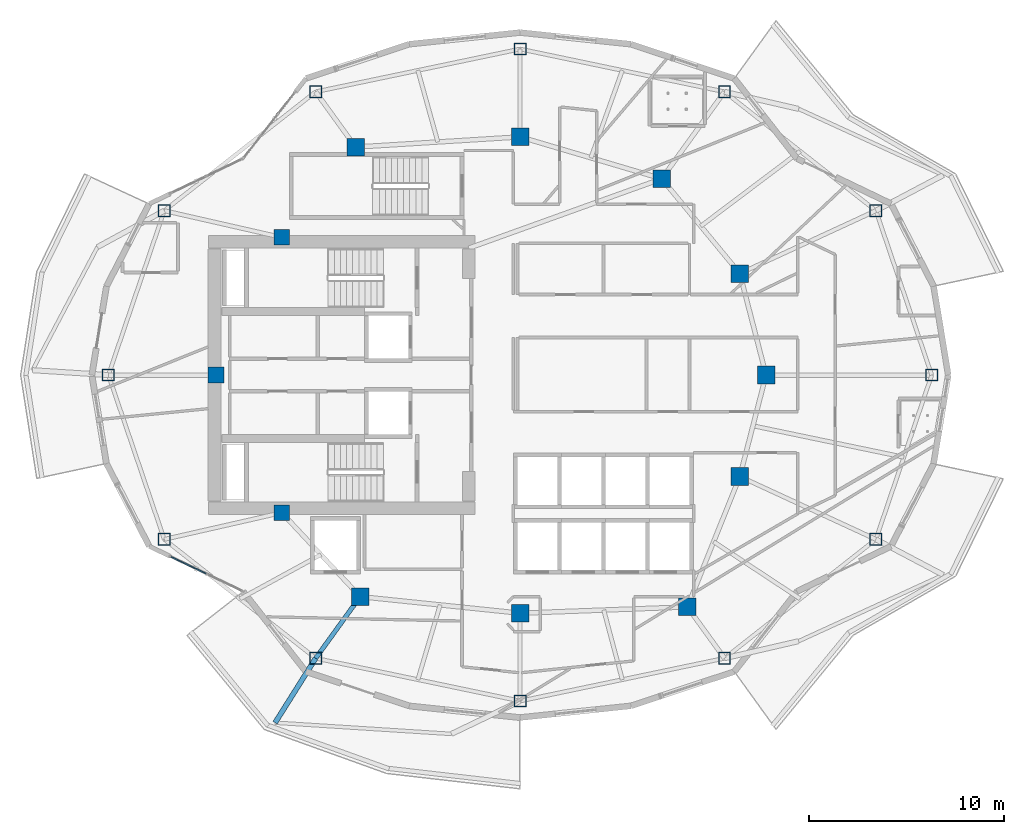
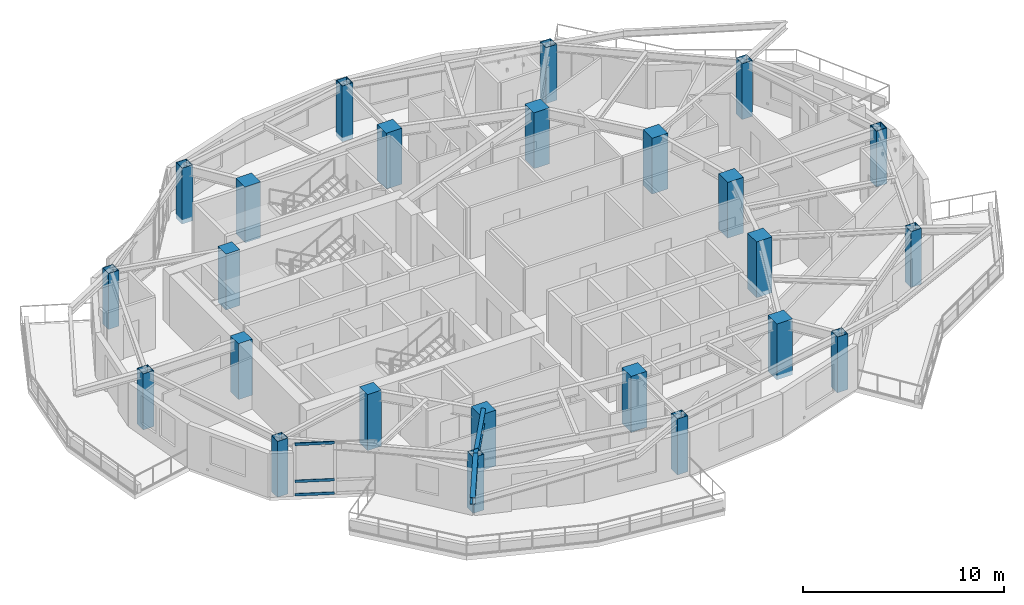
# One storey, part 1 of 16: 24 columns, 3 members, 2 beams, 1 element without a shape of its own.
"""IFC4 building model written with IfcOpenShell, lengths in metres."""

from ifc_helpers import new_model, si_unit, direction, frame, origin, origin_2d, place, context, subcontext, project, spatial, rectangle, hollow_rectangle, i_section, extrude, material, layer, layer_set, material_profile, profile_set, type_object, element, aggregate, save


model = new_model("IFC4")

# Units and contexts
model_context = context("Model", 3, precision=1e-05, world=origin(), true_north=direction((0.0, 1.0)))
body_context = subcontext(model_context, "Body", "Model", "MODEL_VIEW")
ifc_project = project(units=[si_unit("LENGTHUNIT", "METRE"), si_unit("AREAUNIT", "SQUARE_METRE"), si_unit("VOLUMEUNIT", "CUBIC_METRE"), si_unit("PLANEANGLEUNIT", "RADIAN"), si_unit("MASSUNIT", "GRAM", prefix="KILO")], contexts=[model_context])

# Site, building, storey
site_placement = place(None, origin())
site = spatial("IfcSite", under=ifc_project, at=site_placement, CompositionType="ELEMENT")
building_placement = place(site_placement, origin())
building = spatial("IfcBuilding", under=site, at=building_placement, Name="Kolvaren Gate Tower and Convention Centre", CompositionType="ELEMENT")
storey_placement = place(building_placement, frame((0.0, 0.0, 149.5)))
storey = spatial("IfcBuildingStorey", under=building, at=storey_placement, Name="L38", CompositionType="ELEMENT", Elevation=149.5)

# Columns
ifc_material_1 = material(Name="Structural steel ASTM A1085 Grade A 345 MPa", Category="steel")
ifc_material_profile_1 = material_profile(ifc_material_1, hollow_rectangle(XDim=0.610107421875, YDim=0.610107421875, WallThickness=0.025390625, at=origin_2d()), Name="HSS610X610X25.4")
ifc_profile_set_1 = profile_set([ifc_material_profile_1], Name="Structural steel ASTM A1085 Grade A 345 MPa")
column_type_1 = type_object("IfcColumnType", Name="STR-COL-HSS610", PredefinedType="COLUMN", material=ifc_profile_set_1)
for number, where, z_axis, x_axis, name in (
    (1, (51.21240234375, 27.0, -0.27001953125), (0.0, 0.0, 1.0), (1.0, 0.0, 0.0), "Tower L38 Perimeter Supercolumn TP-01"),
    (2, (48.351806640625, 35.418701171875, -0.27001953125), (0.0, 0.0, 1.0), (1.0, 0.0, 0.0), "Tower L38 Perimeter Supercolumn TP-02"),
    (3, (40.596435546875, 41.509521484375, -0.27001953125), (0.0, 0.0, 1.0), (1.0, 0.0, 0.0), "Tower L38 Perimeter Supercolumn TP-03"),
    (4, (30.125, 43.699951171875, -0.27001953125), (0.0, 0.0, 1.0), (1.0, 0.0, 0.0), "Tower L38 Perimeter Supercolumn TP-04"),
    (5, (19.65380859375, 41.509521484375, -0.27001953125), (0.0, 0.0, 1.0), (1.0, 0.0, 0.0), "Tower L38 Perimeter Supercolumn TP-05"),
    (6, (11.898193359375, 35.418701171875, -0.27001953125), (0.0, 0.0, 1.0), (1.0, 0.0, 0.0), "Tower L38 Perimeter Supercolumn TP-06"),
    (7, (9.03759765625, 27.0, -0.27001953125), (0.0, 0.0, 1.0), (1.0, 0.0, 0.0), "Tower L38 Perimeter Supercolumn TP-07"),
    (8, (11.898193359375, 18.581298828125, -0.27001953125), (0.0, 0.0, 1.0), (1.0, 0.0, 0.0), "Tower L38 Perimeter Supercolumn TP-08"),
    (9, (19.653564453125, 12.490478515625, -0.27001953125), (0.0, 0.0, 1.0), (1.0, 0.0, 0.0), "Tower L38 Perimeter Supercolumn TP-09"),
    (10, (30.125, 10.300048828125, -0.27001953125), (0.0, 0.0, 1.0), (1.0, 0.0, 0.0), "Tower L38 Perimeter Supercolumn TP-10"),
    (11, (40.596435546875, 12.490478515625, -0.27001953125), (0.0, 0.0, 1.0), (1.0, 0.0, 0.0), "Tower L38 Perimeter Supercolumn TP-11"),
    (12, (48.351806640625, 18.581298828125, -0.27001953125), (0.0, 0.0, 1.0), (1.0, 0.0, 0.0), "Tower L38 Perimeter Supercolumn TP-12"),
):
    element("IfcColumn", number, at=place(storey_placement, frame(where, z_axis=z_axis, x_axis=x_axis)), inside=storey, type_object=column_type_1, Name=name, PredefinedType="COLUMN", context=body_context, shape_type="SweptSolid", body=[
        extrude(hollow_rectangle(XDim=0.610107421875, YDim=0.610107421875, WallThickness=0.025390625, at=origin_2d()), origin(), (0.0, 0.0, 1.0), 3.39990234375),
    ])
ifc_material_2 = material(Name="Concrete C60/75", Category="concrete")
ifc_material_profile_2 = material_profile(ifc_material_2, rectangle(XDim=0.89990234375, YDim=0.89990234375, at=origin_2d()), Name="RC-COL-900X900")
ifc_profile_set_2 = profile_set([ifc_material_profile_2], Name="Concrete C60/75")
column_type_2 = type_object("IfcColumnType", Name="STR-COL-RC900", PredefinedType="COLUMN", material=ifc_profile_set_2)
for number, where, z_axis, x_axis, name in (
    (13, (42.72509765625, 27.0, -0.27001953125), (0.0, 0.0, 1.0), (1.0, 0.0, 0.0), "Tower L38 Interior Column TI-01"),
    (14, (41.382080078125, 32.199462890625, -0.27001953125), (0.0, 0.0, 1.0), (1.0, 0.0, 0.0), "Tower L38 Interior Column TI-02"),
    (15, (37.381591796875, 37.054931640625, -0.27001953125), (0.0, 0.0, 1.0), (1.0, 0.0, 0.0), "Tower L38 Interior Column TI-03"),
    (16, (30.125, 39.199951171875, -0.27001953125), (0.0, 0.0, 1.0), (1.0, 0.0, 0.0), "Tower L38 Interior Column TI-04"),
    (17, (21.697998046875, 38.6767578125, -0.27001953125), (0.0, 0.0, 1.0), (1.0, 0.0, 0.0), "Tower L38 Interior Column TI-05"),
    (18, (21.93212890625, 15.647705078125, -0.27001953125), (0.0, 0.0, 1.0), (1.0, 0.0, 0.0), "Tower L38 Interior Column TI-06"),
    (19, (30.125, 14.800048828125, -0.27001953125), (0.0, 0.0, 1.0), (1.0, 0.0, 0.0), "Tower L38 Interior Column TI-07"),
    (20, (38.6982421875, 15.12060546875, -0.27001953125), (0.0, 0.0, 1.0), (1.0, 0.0, 0.0), "Tower L38 Interior Column TI-08"),
    (21, (41.382080078125, 21.800537109375, -0.27001953125), (0.0, 0.0, 1.0), (1.0, 0.0, 0.0), "Tower L38 Interior Column TI-09"),
):
    element("IfcColumn", number, at=place(storey_placement, frame(where, z_axis=z_axis, x_axis=x_axis)), inside=storey, type_object=column_type_2, Name=name, PredefinedType="COLUMN", context=body_context, shape_type="SweptSolid", body=[
        extrude(rectangle(XDim=0.89990234375, YDim=0.89990234375, at=origin_2d()), origin(), (0.0, 0.0, 1.0), 3.39990234375),
    ])
ifc_material_profile_3 = material_profile(ifc_material_2, rectangle(XDim=0.800048828125, YDim=0.800048828125, at=origin_2d()), Name="RC-COL-800X800")
ifc_profile_set_3 = profile_set([ifc_material_profile_3], Name="Concrete C60/75")
column_type_3 = type_object("IfcColumnType", Name="STR-PIL-RC800", PredefinedType="PILASTER", material=ifc_profile_set_3)
for number, where, z_axis, x_axis, name in (
    (22, (17.9140625, 34.050048828125, -0.27001953125), (0.0, 0.0, 1.0), (1.0, 0.0, 0.0), "Tower L38 Core Boundary Pilaster TC-05"),
    (23, (14.550048828125, 27.0, -0.27001953125), (0.0, 0.0, 1.0), (1.0, 0.0, 0.0), "Tower L38 Core Boundary Pilaster TC-06"),
    (24, (17.9140625, 19.949951171875, -0.27001953125), (0.0, 0.0, 1.0), (1.0, 0.0, 0.0), "Tower L38 Core Boundary Pilaster TC-07"),
):
    element("IfcColumn", number, at=place(storey_placement, frame(where, z_axis=z_axis, x_axis=x_axis)), inside=storey, type_object=column_type_3, Name=name, PredefinedType="PILASTER", context=body_context, shape_type="SweptSolid", body=[
        extrude(rectangle(XDim=0.800048828125, YDim=0.800048828125, at=origin_2d()), origin(), (0.0, 0.0, 1.0), 3.39990234375),
    ])

# Curtain wall, members
ifc_material_3 = material(Name="Anodized Architectural Aluminium Alloy 6063-T6", Category="aluminium")
ifc_layer = layer(ifc_material_3, 0.159912109375)
ifc_layer_set = layer_set([ifc_layer], Name="Anodized Architectural Aluminium Alloy 6063-T6")
curtain_wall_type = type_object("IfcCurtainWallType", Name="CW-HTL-UNIT", PredefinedType="NOTDEFINED", material=ifc_layer_set)
curtain_wall_placement = place(storey_placement, origin())
curtain_wall = element("IfcCurtainWall", 25, at=curtain_wall_placement, inside=storey, type_object=curtain_wall_type, Name="Tower L38 Unitised Curtain Wall CW-HTL-UNIT Bay 14", PredefinedType="NOTDEFINED")
ifc_material_profile_4 = material_profile(ifc_material_3, rectangle(XDim=0.06494140625, YDim=0.159912109375, at=origin_2d()), Name="CW-MEM-TRN-160")
ifc_profile_set_4 = profile_set([ifc_material_profile_4], Name="Anodized Architectural Aluminium Alloy 6063-T6")
member_type = type_object("IfcMemberType", Name="CW-MEM-TRN-160", PredefinedType="USERDEFINED", material=ifc_profile_set_4)
member_1_placement = place(storey_placement, frame((12.249755859375, 17.685302734375, 0.032470703125), z_axis=(0.901369067985, -0.433051732799, 0.0), x_axis=(0.433051732799, 0.901369067985, 0.0)))
member_1 = element("IfcMember", 26, at=member_1_placement, type_object=member_type, Name="CW-03 transom 1.1", ObjectType="TRANSOM", PredefinedType="USERDEFINED", context=body_context, shape_type="SweptSolid", body=[
    extrude(rectangle(XDim=0.06494140625, YDim=0.159912109375, at=origin_2d()), origin(), (0.0, 0.0, 1.0), 1.97998046875),
])
member_2_placement = place(storey_placement, frame((12.249755859375, 17.685302734375, 0.85009765625), z_axis=(0.901369067985, -0.433051732799, 0.0), x_axis=(0.433051732799, 0.901369067985, 0.0)))
member_2 = element("IfcMember", 27, at=member_2_placement, type_object=member_type, Name="CW-03 transom 1.2", ObjectType="TRANSOM", PredefinedType="USERDEFINED", context=body_context, shape_type="SweptSolid", body=[
    extrude(rectangle(XDim=0.06494140625, YDim=0.159912109375, at=origin_2d()), origin(), (0.0, 0.0, 1.0), 1.97998046875),
])
member_3_placement = place(storey_placement, frame((12.249755859375, 17.685302734375, 3.097412109375), z_axis=(0.901369067985, -0.433051732799, 0.0), x_axis=(0.433051732799, 0.901369067985, 0.0)))
member_3 = element("IfcMember", 28, at=member_3_placement, type_object=member_type, Name="CW-03 transom 1.3", ObjectType="TRANSOM", PredefinedType="USERDEFINED", context=body_context, shape_type="SweptSolid", body=[
    extrude(rectangle(XDim=0.06494140625, YDim=0.159912109375, at=origin_2d()), origin(), (0.0, 0.0, 1.0), 1.97998046875),
])
aggregate(curtain_wall, [member_1, member_2, member_3])

# Beams
ifc_material_4 = material(Name="Structural steel ASTM A992 Grade 345 MPa", Category="steel")
ifc_material_profile_5 = material_profile(ifc_material_4, i_section(OverallWidth=0.260009765625, OverallDepth=0.419921875, WebThickness=0.013427734375, FlangeThickness=0.0224609375, at=origin_2d()), Name="W410X132")
ifc_profile_set_5 = profile_set([ifc_material_profile_5], Name="Structural steel ASTM A992 Grade 345 MPa")
beam_type_1 = type_object("IfcBeamType", Name="STR-BM-W410X132", PredefinedType="BEAM", material=ifc_profile_set_5)
beam_1_placement = place(storey_placement, frame((19.653564453125, 12.490478515625, 2.92041015625), z_axis=(-0.532635592703, -0.846344684739, 0.0), x_axis=(0.846344684739, -0.532635592703, 0.0)))
element("IfcBeam", 29, at=beam_1_placement, inside=storey, type_object=beam_type_1, Name="Tower L39 Planted Balcony Outrigger Cantilever BC-3A", PredefinedType="BEAM", context=body_context, shape_type="SweptSolid", body=[
    extrude(i_section(OverallWidth=0.260009765625, OverallDepth=0.419921875, WebThickness=0.013427734375, FlangeThickness=0.0224609375, at=origin_2d()), origin(), (0.0, 0.0, 1.0), 3.899658203125),
])
ifc_material_profile_6 = material_profile(ifc_material_4, i_section(OverallWidth=0.22998046875, OverallDepth=0.616943359375, WebThickness=0.01318359375, FlangeThickness=0.022216796875, at=origin_2d()), Name="W610X140")
ifc_profile_set_6 = profile_set([ifc_material_profile_6], Name="Structural steel ASTM A992 Grade 345 MPa")
beam_type_2 = type_object("IfcBeamType", Name="STR-BM-W610X140", PredefinedType="BEAM", material=ifc_profile_set_6)
beam_2_placement = place(storey_placement, frame((21.93212890625, 15.647705078125, 2.821533203125), z_axis=(-0.585211215329, -0.810880899672, 0.0), x_axis=(0.810880899672, -0.585211215329, 0.0)))
element("IfcBeam", 30, at=beam_2_placement, inside=storey, type_object=beam_type_2, Name="Tower L38 Radial Floor Girder RB-09", PredefinedType="BEAM", context=body_context, shape_type="SweptSolid", body=[
    extrude(i_section(OverallWidth=0.22998046875, OverallDepth=0.616943359375, WebThickness=0.01318359375, FlangeThickness=0.022216796875, at=origin_2d()), origin(), (0.0, 0.0, 1.0), 3.8935546875),
])

save(model, "model.ifc")
